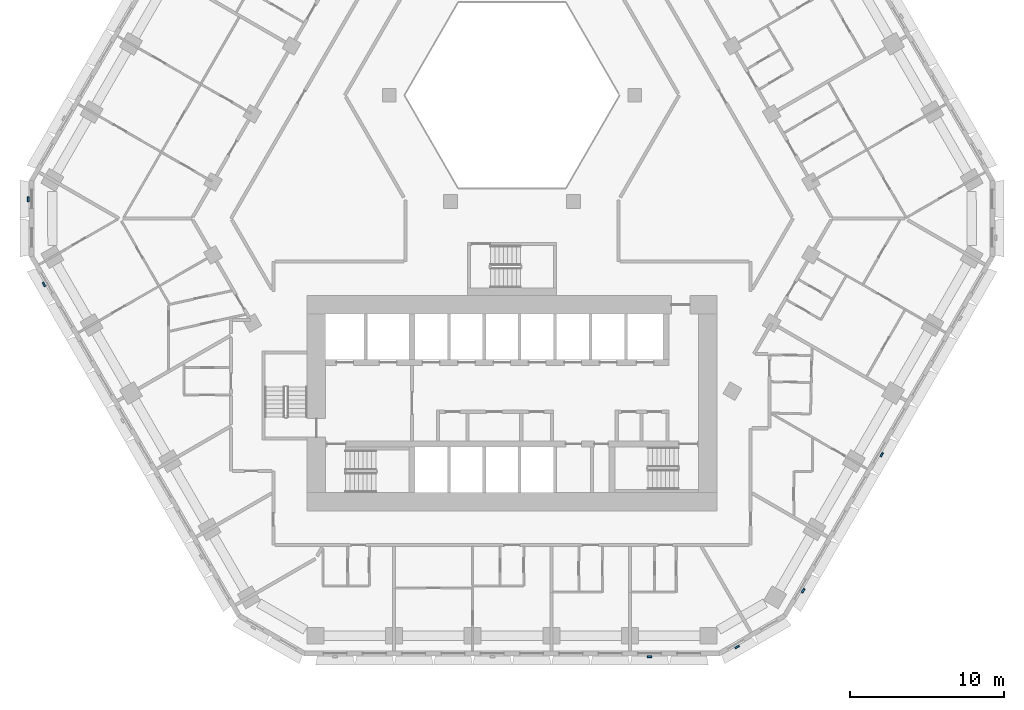
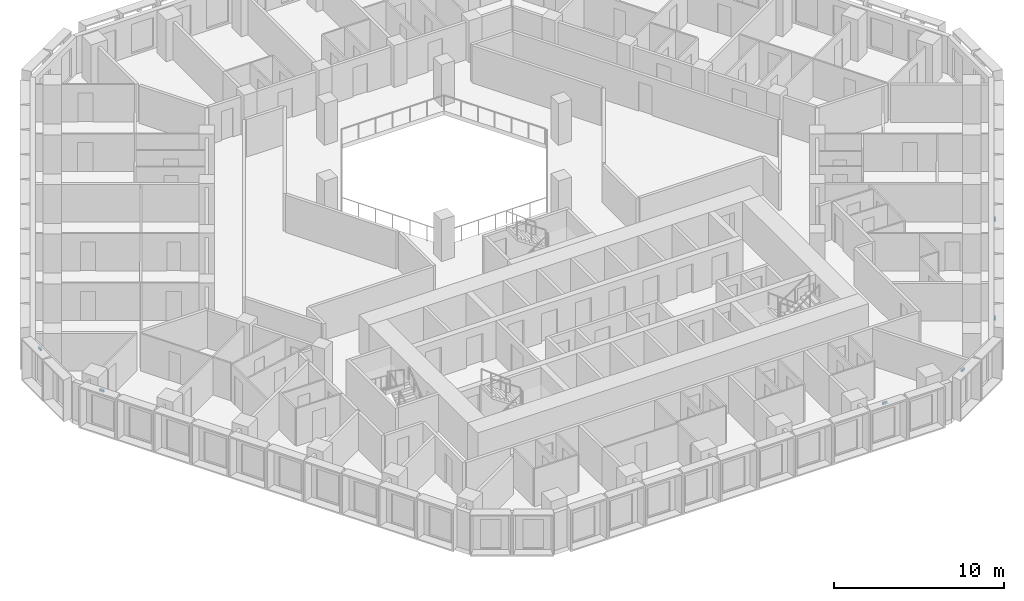
# One storey, part 13 of 21: 6 discrete accessories.
"""IFC4 building model written with IfcOpenShell, lengths in metres."""

from ifc_helpers import new_model, si_unit, direction, frame, origin, place, context, subcontext, project, spatial, polyline, outline, extrude, source, transform, mapped, material, type_object, type_shapes, element, save


model = new_model("IFC4")

# Units and contexts
model_context = context("Model", 3, precision=1e-05, world=origin(), true_north=direction((0.0, 1.0)))
body_context = subcontext(model_context, "Body", "Model", "MODEL_VIEW")
ifc_project = project(units=[si_unit("LENGTHUNIT", "METRE"), si_unit("AREAUNIT", "SQUARE_METRE"), si_unit("VOLUMEUNIT", "CUBIC_METRE"), si_unit("PLANEANGLEUNIT", "RADIAN"), si_unit("MASSUNIT", "GRAM", prefix="KILO")], contexts=[model_context])

# Site, building, storey
site_placement = place(None, origin())
site = spatial("IfcSite", under=ifc_project, at=site_placement, CompositionType="ELEMENT")
building_placement = place(site_placement, origin())
building = spatial("IfcBuilding", under=site, at=building_placement, Name="Beryl Residences", CompositionType="ELEMENT")
storey_placement = place(building_placement, frame((0.0, 0.0, 29.39990234375)))
storey = spatial("IfcBuildingStorey", under=building, at=storey_placement, Name="L08", CompositionType="ELEMENT", Elevation=29.39990234375)

# Discrete accessories
ifc_material = material(Name="Steel S355", Category="steel")
discrete_accessory_type = type_object("IfcDiscreteAccessoryType", Name="BR1 frame bracket 300 x 120 x 150 mm", PredefinedType="BRACKET", material=ifc_material)
shared_shape = source(origin(), body_context, "Body", "SweptSolid", [
    extrude(outline(polyline([(-0.14990234375, 0.0), (0.14990234375, 0.0), (0.14990234375, 0.1201171875), (-0.14990234375, 0.1201171875), (-0.14990234375, 0.0)])), origin(), (0.0, 0.0, 1.0), 0.14990234375),
])
type_shapes(discrete_accessory_type, [shared_shape])
for number, where, z_axis, x_axis, name in (
    (1, (-31.35009765625, 1.25, 2.75), (0.0, 0.0, 1.0), (0.0, 1.0, 0.0), "BR1 bracket L08 NW-SW 1"),
    (2, (-30.3359375, -4.2548828125, 2.75), (0.0, 0.0, 1.0), (-0.5, 0.866025403784, 0.0), "BR1 bracket L08 SW 1"),
    (3, (8.93310546875, -28.39990234375, 2.75), (0.0, 0.0, 1.0), (-1.0, 0.0, 0.0), "BR1 bracket L08 S 9"),
    (4, (14.593017578125, -27.77490234375, 2.75), (0.0, 0.0, 1.0), (-0.866025403784, -0.5, 0.0), "BR1 bracket L08 S-SE 1"),
    (5, (18.85400390625, -24.14501953125, 2.75), (0.0, 0.0, 1.0), (-0.5, -0.866025403784, 0.0), "BR1 bracket L08 SE 1"),
    (6, (23.9580078125, -15.303955078125, 2.75), (0.0, 0.0, 1.0), (-0.5, -0.866025403784, 0.0), "BR1 bracket L08 SE 5"),
):
    element("IfcDiscreteAccessory", number, at=place(storey_placement, frame(where, z_axis=z_axis, x_axis=x_axis)), inside=storey, type_object=discrete_accessory_type, Name=name, PredefinedType="BRACKET", context=body_context, shape_type="MappedRepresentation", body=[
        mapped(shared_shape, transform((0.0, 0.0, 0.0))),
    ])

save(model, "model.ifc")
